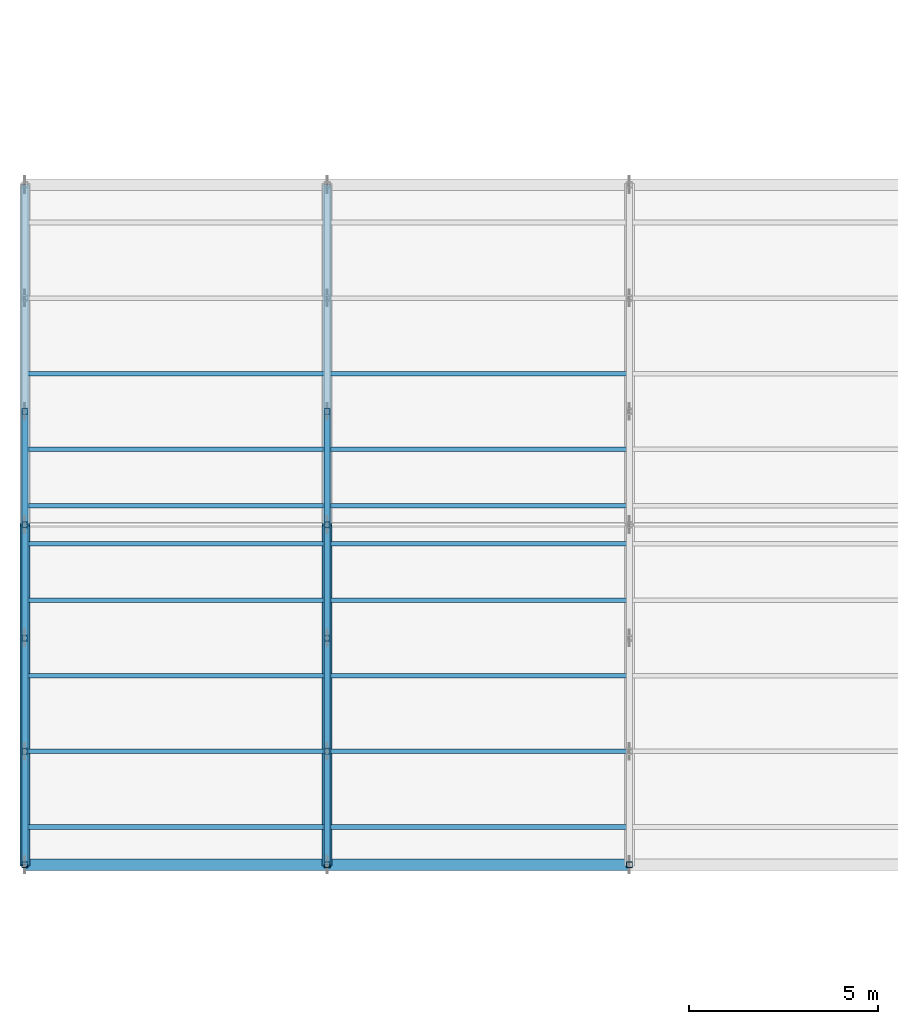
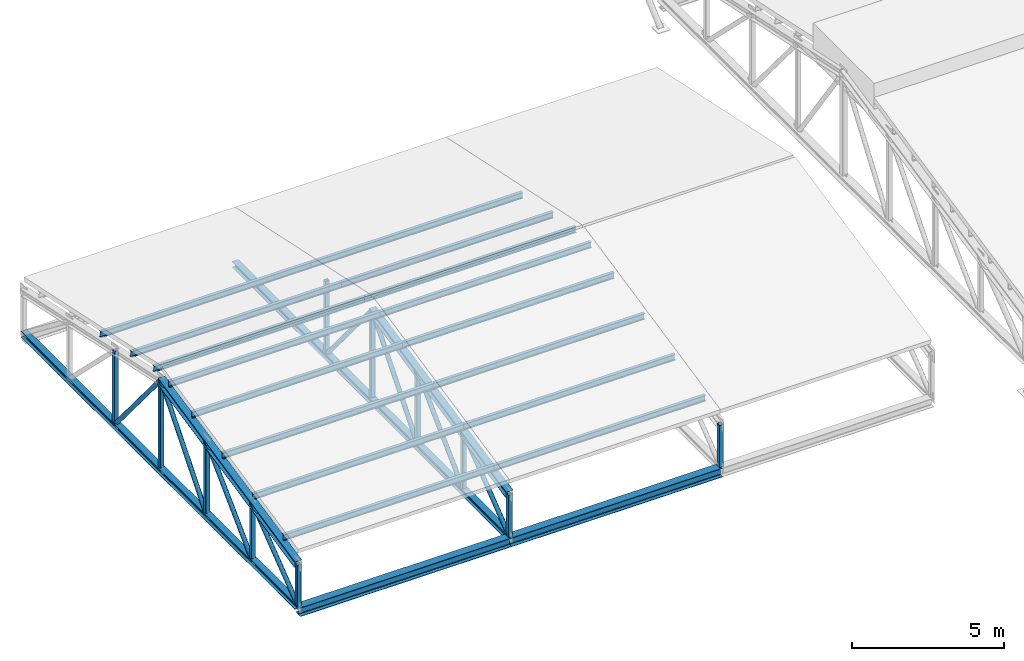
# One storey, part 1 of 43: 39 members, 2 beams.
"""IFC4 building model written with IfcOpenShell, lengths in metres."""

from ifc_helpers import new_model, si_unit, direction, frame, origin, origin_2d, place, context, subcontext, project, spatial, hollow_rectangle, hollow_circle, i_section, extrude, material, material_profile, profile_set, type_object, element, save


model = new_model("IFC4")

# Units and contexts
model_context = context("Model", 3, precision=1e-05, world=origin(), true_north=direction((0.0, 1.0)))
body_context = subcontext(model_context, "Body", "Model", "MODEL_VIEW")
ifc_project = project(units=[si_unit("LENGTHUNIT", "METRE"), si_unit("AREAUNIT", "SQUARE_METRE"), si_unit("VOLUMEUNIT", "CUBIC_METRE"), si_unit("PLANEANGLEUNIT", "RADIAN"), si_unit("MASSUNIT", "GRAM", prefix="KILO")], contexts=[model_context])

# Site, building, storey
site_placement = place(None, origin())
site = spatial("IfcSite", under=ifc_project, at=site_placement, CompositionType="ELEMENT")
building_placement = place(site_placement, origin())
building = spatial("IfcBuilding", under=site, at=building_placement, Name="Serraforn Aerial Cableway Station", CompositionType="ELEMENT")
storey_placement = place(building_placement, frame((0.0, 0.0, 18.300048828125)))
storey = spatial("IfcBuildingStorey", under=building, at=storey_placement, Name="RF", CompositionType="ELEMENT", Elevation=18.300048828125)

# Beams
ifc_material_1 = material(Name="Steel S355JR", Category="steel")
ifc_material_profile_1 = material_profile(ifc_material_1, i_section(OverallWidth=0.300048828125, OverallDepth=0.360107421875, WebThickness=0.010009765625, FlangeThickness=0.017578125, FilletRadius=0.027099609375, at=origin_2d()), Name="HEA 360")
ifc_profile_set_1 = profile_set([ifc_material_profile_1], Name="Steel S355JR")
beam_type = type_object("IfcBeamType", Name="BM-ST-HEA360", PredefinedType="BEAM", material=ifc_profile_set_1)
for number, where, z_axis, x_axis, name in (
    (1, (0.0, 18.0, -1.72998046875), (1.0, 0.0, 0.0), (0.0, 1.0, 0.0), "Belvedere Eave Girder S-1"),
    (2, (8.0, 18.0, -1.72998046875), (1.0, 0.0, 0.0), (0.0, 1.0, 0.0), "Belvedere Eave Girder S-2"),
):
    element("IfcBeam", number, at=place(storey_placement, frame(where, z_axis=z_axis, x_axis=x_axis)), inside=storey, type_object=beam_type, Name=name, PredefinedType="BEAM", context=body_context, shape_type="SweptSolid", body=[
        extrude(i_section(OverallWidth=0.300048828125, OverallDepth=0.360107421875, WebThickness=0.010009765625, FlangeThickness=0.017578125, FilletRadius=0.027099609375, at=origin_2d()), origin(), (0.0, 0.0, 1.0), 8.0),
    ])

# Members
ifc_material_2 = material(Name="Steel S355J2", Category="steel")
ifc_material_profile_2 = material_profile(ifc_material_2, i_section(OverallWidth=0.239990234375, OverallDepth=0.239990234375, WebThickness=0.007568359375, FlangeThickness=0.011962890625, FilletRadius=0.02099609375, at=origin_2d()), Name="HEA 240")
ifc_profile_set_2 = profile_set([ifc_material_profile_2], Name="Steel S355J2")
member_type_1 = type_object("IfcMemberType", Name="MEM-BC-HEA240", PredefinedType="CHORD", material=ifc_profile_set_2)
for number, where, z_axis, x_axis, name in (
    (3, (0.0, 18.0, -1.550048828125), (0.0, 1.0, 0.0), (-1.0, 0.0, 0.0), "Belvedere Truss WT-01 Bottom Chord"),
    (4, (8.0, 18.0, -1.550048828125), (0.0, 1.0, 0.0), (-1.0, 0.0, 0.0), "Belvedere Truss WT-02 Bottom Chord"),
):
    element("IfcMember", number, at=place(storey_placement, frame(where, z_axis=z_axis, x_axis=x_axis)), inside=storey, type_object=member_type_1, Name=name, PredefinedType="CHORD", context=body_context, shape_type="SweptSolid", body=[
        extrude(i_section(OverallWidth=0.239990234375, OverallDepth=0.239990234375, WebThickness=0.007568359375, FlangeThickness=0.011962890625, FilletRadius=0.02099609375, at=origin_2d()), origin(), (0.0, 0.0, 1.0), 18.0),
    ])
ifc_material_profile_3 = material_profile(ifc_material_2, hollow_circle(Radius=0.084228515625, WallThickness=0.008056640625, at=origin_2d()), Name="CHS 168.3x8.0")
ifc_profile_set_3 = profile_set([ifc_material_profile_3], Name="Steel S355J2")
member_type_2 = type_object("IfcMemberType", Name="MEM-DG-CHS168", PredefinedType="BRACE", material=ifc_profile_set_3)
member_1_placement = place(storey_placement, frame((0.0, 18.0, -1.550048828125), z_axis=(0.0, 0.79148044328, 0.611194492699), x_axis=(-1.0, 0.0, 0.0)))
element("IfcMember", 5, at=member_1_placement, inside=storey, type_object=member_type_2, Name="Belvedere Truss WT-01 Diagonal 1", PredefinedType="BRACE", context=body_context, shape_type="SweptSolid", body=[
    extrude(hollow_circle(Radius=0.084228515625, WallThickness=0.008056640625, at=origin_2d()), origin(), (0.0, 0.0, 1.0), 3.790283203125),
])
member_2_placement = place(storey_placement, frame((0.0, 21.0, -1.550048828125), z_axis=(0.0, 0.712536491097, 0.701635053896), x_axis=(-1.0, 0.0, 0.0)))
element("IfcMember", 6, at=member_2_placement, inside=storey, type_object=member_type_2, Name="Belvedere Truss WT-01 Diagonal 2", PredefinedType="BRACE", context=body_context, shape_type="SweptSolid", body=[
    extrude(hollow_circle(Radius=0.084228515625, WallThickness=0.008056640625, at=origin_2d()), origin(), (0.0, 0.0, 1.0), 4.210205078125),
])
for number, where, z_axis, x_axis, name in (
    (7, (0.0, 24.0, -1.550048828125), (0.0, 0.641046059046, 0.767502410538), (-1.0, 0.0, 0.0), "Belvedere Truss WT-01 Diagonal 3"),
    (8, (0.0, 27.0, 2.041748046875), (0.0, 0.641046059046, -0.767502410538), (-1.0, 0.0, 0.0), "Belvedere Truss WT-01 Diagonal 4"),
):
    element("IfcMember", number, at=place(storey_placement, frame(where, z_axis=z_axis, x_axis=x_axis)), inside=storey, type_object=member_type_2, Name=name, PredefinedType="BRACE", context=body_context, shape_type="SweptSolid", body=[
        extrude(hollow_circle(Radius=0.084228515625, WallThickness=0.008056640625, at=origin_2d()), origin(), (0.0, 0.0, 1.0), 4.679931640625),
    ])
member_3_placement = place(storey_placement, frame((8.0, 18.0, -1.550048828125), z_axis=(0.0, 0.79148044328, 0.611194492699), x_axis=(-1.0, 0.0, 0.0)))
element("IfcMember", 9, at=member_3_placement, inside=storey, type_object=member_type_2, Name="Belvedere Truss WT-02 Diagonal 1", PredefinedType="BRACE", context=body_context, shape_type="SweptSolid", body=[
    extrude(hollow_circle(Radius=0.084228515625, WallThickness=0.008056640625, at=origin_2d()), origin(), (0.0, 0.0, 1.0), 3.790283203125),
])
member_4_placement = place(storey_placement, frame((8.0, 21.0, -1.550048828125), z_axis=(0.0, 0.712536491097, 0.701635053896), x_axis=(-1.0, 0.0, 0.0)))
element("IfcMember", 10, at=member_4_placement, inside=storey, type_object=member_type_2, Name="Belvedere Truss WT-02 Diagonal 2", PredefinedType="BRACE", context=body_context, shape_type="SweptSolid", body=[
    extrude(hollow_circle(Radius=0.084228515625, WallThickness=0.008056640625, at=origin_2d()), origin(), (0.0, 0.0, 1.0), 4.210205078125),
])
for number, where, z_axis, x_axis, name in (
    (11, (8.0, 24.0, -1.550048828125), (0.0, 0.641046059046, 0.767502410538), (-1.0, 0.0, 0.0), "Belvedere Truss WT-02 Diagonal 3"),
    (12, (8.0, 27.0, 2.041748046875), (0.0, 0.641046059046, -0.767502410538), (-1.0, 0.0, 0.0), "Belvedere Truss WT-02 Diagonal 4"),
):
    element("IfcMember", number, at=place(storey_placement, frame(where, z_axis=z_axis, x_axis=x_axis)), inside=storey, type_object=member_type_2, Name=name, PredefinedType="BRACE", context=body_context, shape_type="SweptSolid", body=[
        extrude(hollow_circle(Radius=0.084228515625, WallThickness=0.008056640625, at=origin_2d()), origin(), (0.0, 0.0, 1.0), 4.679931640625),
    ])
ifc_material_profile_4 = material_profile(ifc_material_1, i_section(OverallWidth=0.1201171875, OverallDepth=0.239990234375, WebThickness=0.006103515625, FlangeThickness=0.009765625, FilletRadius=0.014892578125, at=origin_2d()), Name="IPE 240")
ifc_profile_set_4 = profile_set([ifc_material_profile_4], Name="Steel S355JR")
member_type_3 = type_object("IfcMemberType", Name="MEM-PR-IPE240", PredefinedType="PURLIN", material=ifc_profile_set_4)
for number, where, z_axis, x_axis, name in (
    (13, (0.0, 19.0, 0.58544921875), (1.0, 0.0, 0.0), (0.0, 1.0, 0.0), "Belvedere Roof Purlin 1-1"),
    (14, (0.0, 21.0, 1.010498046875), (1.0, 0.0, 0.0), (0.0, 1.0, 0.0), "Belvedere Roof Purlin 1-2"),
    (15, (0.0, 23.0, 1.435546875), (1.0, 0.0, 0.0), (0.0, 1.0, 0.0), "Belvedere Roof Purlin 1-3"),
    (16, (0.0, 25.0, 1.86083984375), (1.0, 0.0, 0.0), (0.0, 1.0, 0.0), "Belvedere Roof Purlin 1-4"),
    (17, (0.0, 26.5, 2.179443359375), (1.0, 0.0, 0.0), (0.0, 1.0, 0.0), "Belvedere Roof Purlin 1-5"),
    (18, (0.0, 27.5, 2.179443359375), (1.0, 0.0, 0.0), (0.0, 1.0, 0.0), "Belvedere Roof Purlin 1-6"),
    (19, (0.0, 29.0, 1.86083984375), (1.0, 0.0, 0.0), (0.0, 1.0, 0.0), "Belvedere Roof Purlin 1-7"),
    (20, (0.0, 31.0, 1.435546875), (1.0, 0.0, 0.0), (0.0, 1.0, 0.0), "Belvedere Roof Purlin 1-8"),
    (21, (8.0, 19.0, 0.58544921875), (1.0, 0.0, 0.0), (0.0, 1.0, 0.0), "Belvedere Roof Purlin 2-1"),
    (22, (8.0, 21.0, 1.010498046875), (1.0, 0.0, 0.0), (0.0, 1.0, 0.0), "Belvedere Roof Purlin 2-2"),
    (23, (8.0, 23.0, 1.435546875), (1.0, 0.0, 0.0), (0.0, 1.0, 0.0), "Belvedere Roof Purlin 2-3"),
    (24, (8.0, 25.0, 1.86083984375), (1.0, 0.0, 0.0), (0.0, 1.0, 0.0), "Belvedere Roof Purlin 2-4"),
    (25, (8.0, 26.5, 2.179443359375), (1.0, 0.0, 0.0), (0.0, 1.0, 0.0), "Belvedere Roof Purlin 2-5"),
    (26, (8.0, 27.5, 2.179443359375), (1.0, 0.0, 0.0), (0.0, 1.0, 0.0), "Belvedere Roof Purlin 2-6"),
    (27, (8.0, 29.0, 1.86083984375), (1.0, 0.0, 0.0), (0.0, 1.0, 0.0), "Belvedere Roof Purlin 2-7"),
    (28, (8.0, 31.0, 1.435546875), (1.0, 0.0, 0.0), (0.0, 1.0, 0.0), "Belvedere Roof Purlin 2-8"),
):
    element("IfcMember", number, at=place(storey_placement, frame(where, z_axis=z_axis, x_axis=x_axis)), inside=storey, type_object=member_type_3, Name=name, PredefinedType="PURLIN", context=body_context, shape_type="SweptSolid", body=[
        extrude(i_section(OverallWidth=0.1201171875, OverallDepth=0.239990234375, WebThickness=0.006103515625, FlangeThickness=0.009765625, FilletRadius=0.014892578125, at=origin_2d()), origin(), (0.0, 0.0, 1.0), 8.0),
    ])
ifc_material_profile_5 = material_profile(ifc_material_2, i_section(OverallWidth=0.260009765625, OverallDepth=0.260009765625, WebThickness=0.010009765625, FlangeThickness=0.017578125, FilletRadius=0.02392578125, at=origin_2d()), Name="HEB 260")
ifc_profile_set_5 = profile_set([ifc_material_profile_5], Name="Steel S355J2")
member_type_4 = type_object("IfcMemberType", Name="MEM-TC-HEB260", PredefinedType="CHORD", material=ifc_profile_set_5)
for number, where, z_axis, x_axis, name in (
    (29, (0.0, 18.0, 0.12890625), (0.0, 0.978151297449, 0.207894298381), (-1.0, 0.0, 0.0), "Belvedere Truss WT-01 Top Chord 1"),
    (30, (8.0, 18.0, 0.12890625), (0.0, 0.978151297449, 0.207894298381), (-1.0, 0.0, 0.0), "Belvedere Truss WT-02 Top Chord 1"),
):
    element("IfcMember", number, at=place(storey_placement, frame(where, z_axis=z_axis, x_axis=x_axis)), inside=storey, type_object=member_type_4, Name=name, PredefinedType="CHORD", context=body_context, shape_type="SweptSolid", body=[
        extrude(i_section(OverallWidth=0.260009765625, OverallDepth=0.260009765625, WebThickness=0.010009765625, FlangeThickness=0.017578125, FilletRadius=0.02392578125, at=origin_2d()), origin(), (0.0, 0.0, 1.0), 9.200927734375),
    ])
ifc_material_profile_6 = material_profile(ifc_material_2, hollow_rectangle(XDim=0.159912109375, YDim=0.159912109375, WallThickness=0.008056640625, InnerFilletRadius=0.008056640625, OuterFilletRadius=0.01611328125, at=origin_2d()), Name="SHS 160x160x8.0")
ifc_profile_set_6 = profile_set([ifc_material_profile_6], Name="Steel S355J2")
member_type_5 = type_object("IfcMemberType", Name="MEM-VP-SHS160", PredefinedType="STRUT", material=ifc_profile_set_6)
member_5_placement = place(storey_placement, frame((0.0, 18.0, -1.56005859375), z_axis=(0.0, 0.0, 1.0), x_axis=(1.0, 0.0, 0.0)))
element("IfcMember", 31, at=member_5_placement, inside=storey, type_object=member_type_5, Name="Belvedere Truss WT-01 Post 1", PredefinedType="STRUT", context=body_context, shape_type="SweptSolid", body=[
    extrude(hollow_rectangle(XDim=0.159912109375, YDim=0.159912109375, WallThickness=0.008056640625, InnerFilletRadius=0.008056640625, OuterFilletRadius=0.01611328125, at=origin_2d()), origin(), (0.0, 0.0, 1.0), 1.698974609375),
])
member_6_placement = place(storey_placement, frame((0.0, 21.0, -1.56005859375), z_axis=(0.0, 0.0, 1.0), x_axis=(1.0, 0.0, 0.0)))
element("IfcMember", 32, at=member_6_placement, inside=storey, type_object=member_type_5, Name="Belvedere Truss WT-01 Post 2", PredefinedType="STRUT", context=body_context, shape_type="SweptSolid", body=[
    extrude(hollow_rectangle(XDim=0.159912109375, YDim=0.159912109375, WallThickness=0.008056640625, InnerFilletRadius=0.008056640625, OuterFilletRadius=0.01611328125, at=origin_2d()), origin(), (0.0, 0.0, 1.0), 2.336669921875),
])
member_7_placement = place(storey_placement, frame((0.0, 24.0, -1.56005859375), z_axis=(0.0, 0.0, 1.0), x_axis=(1.0, 0.0, 0.0)))
element("IfcMember", 33, at=member_7_placement, inside=storey, type_object=member_type_5, Name="Belvedere Truss WT-01 Post 3", PredefinedType="STRUT", context=body_context, shape_type="SweptSolid", body=[
    extrude(hollow_rectangle(XDim=0.159912109375, YDim=0.159912109375, WallThickness=0.008056640625, InnerFilletRadius=0.008056640625, OuterFilletRadius=0.01611328125, at=origin_2d()), origin(), (0.0, 0.0, 1.0), 2.97412109375),
])
member_8_placement = place(storey_placement, frame((0.0, 27.0, -1.56005859375), z_axis=(0.0, 0.0, 1.0), x_axis=(1.0, 0.0, 0.0)))
element("IfcMember", 34, at=member_8_placement, inside=storey, type_object=member_type_5, Name="Belvedere Truss WT-01 Post 4", PredefinedType="STRUT", context=body_context, shape_type="SweptSolid", body=[
    extrude(hollow_rectangle(XDim=0.159912109375, YDim=0.159912109375, WallThickness=0.008056640625, InnerFilletRadius=0.008056640625, OuterFilletRadius=0.01611328125, at=origin_2d()), origin(), (0.0, 0.0, 1.0), 3.61181640625),
])
member_9_placement = place(storey_placement, frame((0.0, 30.0, -1.56005859375), z_axis=(0.0, 0.0, 1.0), x_axis=(1.0, 0.0, 0.0)))
element("IfcMember", 35, at=member_9_placement, inside=storey, type_object=member_type_5, Name="Belvedere Truss WT-01 Post 5", PredefinedType="STRUT", context=body_context, shape_type="SweptSolid", body=[
    extrude(hollow_rectangle(XDim=0.159912109375, YDim=0.159912109375, WallThickness=0.008056640625, InnerFilletRadius=0.008056640625, OuterFilletRadius=0.01611328125, at=origin_2d()), origin(), (0.0, 0.0, 1.0), 2.97412109375),
])
member_10_placement = place(storey_placement, frame((8.0, 18.0, -1.56005859375), z_axis=(0.0, 0.0, 1.0), x_axis=(1.0, 0.0, 0.0)))
element("IfcMember", 36, at=member_10_placement, inside=storey, type_object=member_type_5, Name="Belvedere Truss WT-02 Post 1", PredefinedType="STRUT", context=body_context, shape_type="SweptSolid", body=[
    extrude(hollow_rectangle(XDim=0.159912109375, YDim=0.159912109375, WallThickness=0.008056640625, InnerFilletRadius=0.008056640625, OuterFilletRadius=0.01611328125, at=origin_2d()), origin(), (0.0, 0.0, 1.0), 1.698974609375),
])
member_11_placement = place(storey_placement, frame((8.0, 21.0, -1.56005859375), z_axis=(0.0, 0.0, 1.0), x_axis=(1.0, 0.0, 0.0)))
element("IfcMember", 37, at=member_11_placement, inside=storey, type_object=member_type_5, Name="Belvedere Truss WT-02 Post 2", PredefinedType="STRUT", context=body_context, shape_type="SweptSolid", body=[
    extrude(hollow_rectangle(XDim=0.159912109375, YDim=0.159912109375, WallThickness=0.008056640625, InnerFilletRadius=0.008056640625, OuterFilletRadius=0.01611328125, at=origin_2d()), origin(), (0.0, 0.0, 1.0), 2.336669921875),
])
member_12_placement = place(storey_placement, frame((8.0, 24.0, -1.56005859375), z_axis=(0.0, 0.0, 1.0), x_axis=(1.0, 0.0, 0.0)))
element("IfcMember", 38, at=member_12_placement, inside=storey, type_object=member_type_5, Name="Belvedere Truss WT-02 Post 3", PredefinedType="STRUT", context=body_context, shape_type="SweptSolid", body=[
    extrude(hollow_rectangle(XDim=0.159912109375, YDim=0.159912109375, WallThickness=0.008056640625, InnerFilletRadius=0.008056640625, OuterFilletRadius=0.01611328125, at=origin_2d()), origin(), (0.0, 0.0, 1.0), 2.97412109375),
])
member_13_placement = place(storey_placement, frame((8.0, 27.0, -1.56005859375), z_axis=(0.0, 0.0, 1.0), x_axis=(1.0, 0.0, 0.0)))
element("IfcMember", 39, at=member_13_placement, inside=storey, type_object=member_type_5, Name="Belvedere Truss WT-02 Post 4", PredefinedType="STRUT", context=body_context, shape_type="SweptSolid", body=[
    extrude(hollow_rectangle(XDim=0.159912109375, YDim=0.159912109375, WallThickness=0.008056640625, InnerFilletRadius=0.008056640625, OuterFilletRadius=0.01611328125, at=origin_2d()), origin(), (0.0, 0.0, 1.0), 3.61181640625),
])
member_14_placement = place(storey_placement, frame((8.0, 30.0, -1.56005859375), z_axis=(0.0, 0.0, 1.0), x_axis=(1.0, 0.0, 0.0)))
element("IfcMember", 40, at=member_14_placement, inside=storey, type_object=member_type_5, Name="Belvedere Truss WT-02 Post 5", PredefinedType="STRUT", context=body_context, shape_type="SweptSolid", body=[
    extrude(hollow_rectangle(XDim=0.159912109375, YDim=0.159912109375, WallThickness=0.008056640625, InnerFilletRadius=0.008056640625, OuterFilletRadius=0.01611328125, at=origin_2d()), origin(), (0.0, 0.0, 1.0), 2.97412109375),
])
member_15_placement = place(storey_placement, frame((16.0, 18.0, -1.56005859375), z_axis=(0.0, 0.0, 1.0), x_axis=(1.0, 0.0, 0.0)))
element("IfcMember", 41, at=member_15_placement, inside=storey, type_object=member_type_5, Name="Belvedere Truss WT-03 Post 1", PredefinedType="STRUT", context=body_context, shape_type="SweptSolid", body=[
    extrude(hollow_rectangle(XDim=0.159912109375, YDim=0.159912109375, WallThickness=0.008056640625, InnerFilletRadius=0.008056640625, OuterFilletRadius=0.01611328125, at=origin_2d()), origin(), (0.0, 0.0, 1.0), 1.698974609375),
])

save(model, "model.ifc")
